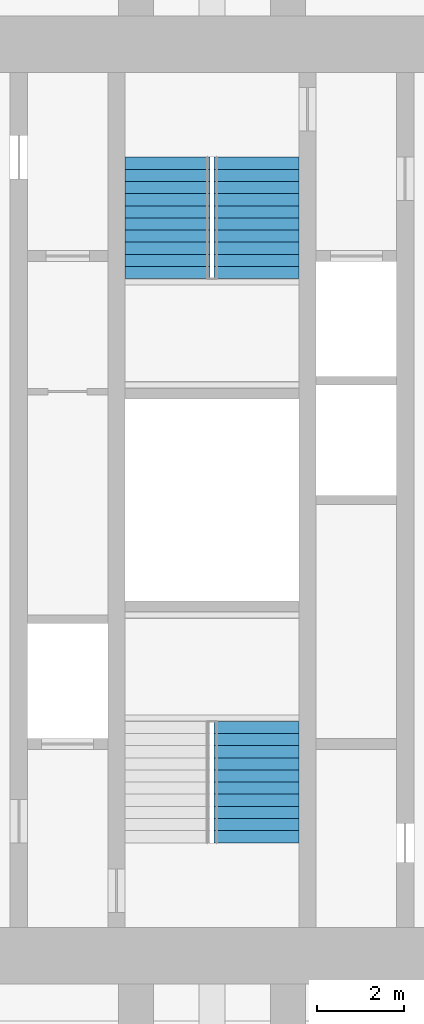
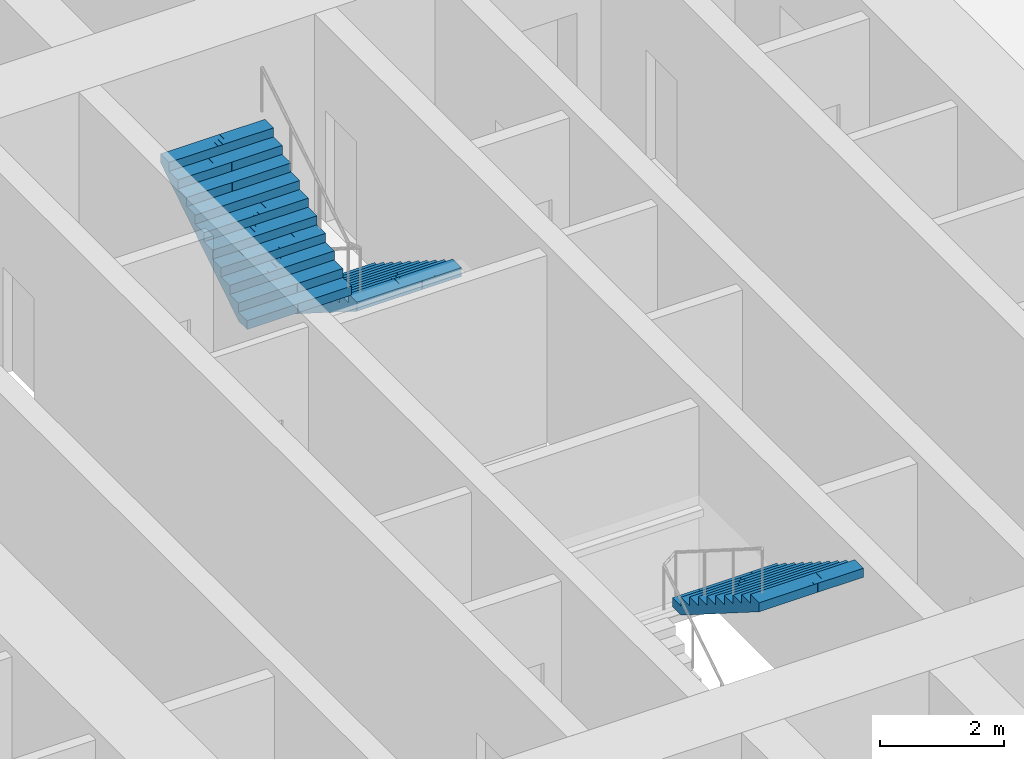
# One storey, part 16 of 17: 3 stair flights, 2 elements without a shape of their own.
"""IFC4 building model written with IfcOpenShell, lengths in metres."""

from ifc_helpers import new_model, si_unit, direction, frame, origin, place, context, subcontext, project, spatial, polyline, outline, extrude, material, type_object, element, aggregate, save


model = new_model("IFC4")

# Units and contexts
model_context = context("Model", 3, precision=1e-05, world=origin(), true_north=direction((0.0, 1.0)))
body_context = subcontext(model_context, "Body", "Model", "MODEL_VIEW")
ifc_project = project(units=[si_unit("LENGTHUNIT", "METRE"), si_unit("AREAUNIT", "SQUARE_METRE"), si_unit("VOLUMEUNIT", "CUBIC_METRE"), si_unit("PLANEANGLEUNIT", "RADIAN"), si_unit("MASSUNIT", "GRAM", prefix="KILO")], contexts=[model_context])

# Site, building, storey
site_placement = place(None, origin())
site = spatial("IfcSite", under=ifc_project, at=site_placement, CompositionType="ELEMENT")
building_placement = place(site_placement, origin())
building = spatial("IfcBuilding", under=site, at=building_placement, Name="Mizan Broadcast Tower", CompositionType="ELEMENT")
storey_placement = place(building_placement, frame((0.0, 0.0, 247.800048828125)))
storey = spatial("IfcBuildingStorey", under=building, at=storey_placement, Name="L58", CompositionType="ELEMENT", Elevation=247.800048828125)

# Stair, stair flight
ifc_material_1 = material(Name="Concrete C40/50", Category="concrete")
stair_type = type_object("IfcStairType", Name="EXIT STAIR", PredefinedType="HALF_TURN_STAIR", material=ifc_material_1)
stair_1_placement = place(storey_placement, origin())
stair_1 = element("IfcStair", 1, at=stair_1_placement, inside=storey, type_object=stair_type, Name="Stair A L58", PredefinedType="HALF_TURN_STAIR")
ifc_material_2 = material(Name="Concrete C40/50", Category="concrete")
stair_flight_type = type_object("IfcStairFlightType", Name="EXIT STAIR FLIGHT", PredefinedType="STRAIGHT", material=ifc_material_2)
stair_flight_1_placement = place(storey_placement, frame((1.02490234375, -5.10009765625, 1.949951171875), z_axis=(0.0, 0.0, 1.0), x_axis=(0.0, -1.0, 0.0)))
stair_flight_1 = element("IfcStairFlight", 2, at=stair_flight_1_placement, type_object=stair_flight_type, Name="A flight 2", NumberOfRisers=11, NumberOfTreads=10, PredefinedType="STRAIGHT", RiserHeight=0.177272727, TreadLength=0.28, context=body_context, shape_type="SweptSolid", body=[
    extrude(outline(polyline([(0.0, 0.0), (0.0, 0.17724609375), (0.280029296875, 0.17724609375), (0.280029296875, 0.3544921875), (0.56005859375, 0.3544921875), (0.56005859375, 0.53173828125), (0.840087890625, 0.53173828125), (0.840087890625, 0.708984375), (1.1201171875, 0.708984375), (1.1201171875, 0.886474609375), (1.39990234375, 0.886474609375), (1.39990234375, 1.063720703125), (1.679931640625, 1.063720703125), (1.679931640625, 1.240966796875), (1.9599609375, 1.240966796875), (1.9599609375, 1.418212890625), (2.239990234375, 1.418212890625), (2.239990234375, 1.595458984375), (2.52001953125, 1.595458984375), (2.52001953125, 1.772705078125), (2.800048828125, 1.772705078125), (2.800048828125, 1.949951171875), (2.800048828125, 1.59521484375), (0.2802734375, 0.0), (0.0, 0.0)])), frame((0.0, 0.97509765625, 0.0), z_axis=(0.0, -1.0, 0.0), x_axis=(1.0, 0.0, 0.0)), (0.0, 0.0, 1.0), 0.4873046875),
    extrude(outline(polyline([(0.0, 0.0), (0.0, 0.17724609375), (0.280029296875, 0.17724609375), (0.280029296875, 0.3544921875), (0.56005859375, 0.3544921875), (0.56005859375, 0.53173828125), (0.840087890625, 0.53173828125), (0.840087890625, 0.708984375), (1.1201171875, 0.708984375), (1.1201171875, 0.886474609375), (1.39990234375, 0.886474609375), (1.39990234375, 1.063720703125), (1.679931640625, 1.063720703125), (1.679931640625, 1.240966796875), (1.9599609375, 1.240966796875), (1.9599609375, 1.418212890625), (2.239990234375, 1.418212890625), (2.239990234375, 1.595458984375), (2.52001953125, 1.595458984375), (2.52001953125, 1.772705078125), (2.800048828125, 1.772705078125), (2.800048828125, 1.949951171875), (2.800048828125, 1.59521484375), (0.2802734375, 0.0), (0.0, 0.0)])), frame((0.0, 0.4873046875, 0.0), z_axis=(0.0, -1.0, 0.0), x_axis=(1.0, 0.0, 0.0)), (0.0, 0.0, 1.0), 0.2431640625),
    extrude(outline(polyline([(0.0, 0.0), (0.0, 0.17724609375), (0.280029296875, 0.17724609375), (0.280029296875, 0.3544921875), (0.56005859375, 0.3544921875), (0.56005859375, 0.53173828125), (0.840087890625, 0.53173828125), (0.840087890625, 0.708984375), (1.1201171875, 0.708984375), (1.1201171875, 0.886474609375), (1.39990234375, 0.886474609375), (1.39990234375, 1.063720703125), (1.679931640625, 1.063720703125), (1.679931640625, 1.240966796875), (1.9599609375, 1.240966796875), (1.9599609375, 1.418212890625), (2.239990234375, 1.418212890625), (2.239990234375, 1.595458984375), (2.52001953125, 1.595458984375), (2.52001953125, 1.772705078125), (2.800048828125, 1.772705078125), (2.800048828125, 1.949951171875), (2.800048828125, 1.59521484375), (0.2802734375, 0.0), (0.0, 0.0)])), frame((0.0, 0.24365234375, 0.0), z_axis=(0.0, -1.0, 0.0), x_axis=(1.0, 0.0, 0.0)), (0.0, 0.0, 1.0), 0.121337890625),
    extrude(outline(polyline([(0.0, 0.0), (0.0, 0.17724609375), (0.280029296875, 0.17724609375), (0.280029296875, 0.3544921875), (0.56005859375, 0.3544921875), (0.56005859375, 0.53173828125), (0.840087890625, 0.53173828125), (0.840087890625, 0.708984375), (1.1201171875, 0.708984375), (1.1201171875, 0.886474609375), (1.39990234375, 0.886474609375), (1.39990234375, 1.063720703125), (1.679931640625, 1.063720703125), (1.679931640625, 1.240966796875), (1.9599609375, 1.240966796875), (1.9599609375, 1.418212890625), (2.239990234375, 1.418212890625), (2.239990234375, 1.595458984375), (2.52001953125, 1.595458984375), (2.52001953125, 1.772705078125), (2.800048828125, 1.772705078125), (2.800048828125, 1.949951171875), (2.800048828125, 1.59521484375), (0.2802734375, 0.0), (0.0, 0.0)])), frame((0.0, 0.121826171875, 0.0), z_axis=(0.0, -1.0, 0.0), x_axis=(1.0, 0.0, 0.0)), (0.0, 0.0, 1.0), 0.060546875),
    extrude(outline(polyline([(0.0, 0.0), (0.0, 0.17724609375), (0.280029296875, 0.17724609375), (0.280029296875, 0.3544921875), (0.56005859375, 0.3544921875), (0.56005859375, 0.53173828125), (0.840087890625, 0.53173828125), (0.840087890625, 0.708984375), (1.1201171875, 0.708984375), (1.1201171875, 0.886474609375), (1.39990234375, 0.886474609375), (1.39990234375, 1.063720703125), (1.679931640625, 1.063720703125), (1.679931640625, 1.240966796875), (1.9599609375, 1.240966796875), (1.9599609375, 1.418212890625), (2.239990234375, 1.418212890625), (2.239990234375, 1.595458984375), (2.52001953125, 1.595458984375), (2.52001953125, 1.772705078125), (2.800048828125, 1.772705078125), (2.800048828125, 1.949951171875), (2.800048828125, 1.59521484375), (0.2802734375, 0.0), (0.0, 0.0)])), frame((0.0, 0.060791015625, 0.0), z_axis=(0.0, -1.0, 0.0), x_axis=(1.0, 0.0, 0.0)), (0.0, 0.0, 1.0), 0.030029296875),
    extrude(outline(polyline([(0.0, 0.0), (0.0, 0.17724609375), (0.280029296875, 0.17724609375), (0.280029296875, 0.3544921875), (0.56005859375, 0.3544921875), (0.56005859375, 0.53173828125), (0.840087890625, 0.53173828125), (0.840087890625, 0.708984375), (1.1201171875, 0.708984375), (1.1201171875, 0.886474609375), (1.39990234375, 0.886474609375), (1.39990234375, 1.063720703125), (1.679931640625, 1.063720703125), (1.679931640625, 1.240966796875), (1.9599609375, 1.240966796875), (1.9599609375, 1.418212890625), (2.239990234375, 1.418212890625), (2.239990234375, 1.595458984375), (2.52001953125, 1.595458984375), (2.52001953125, 1.772705078125), (2.800048828125, 1.772705078125), (2.800048828125, 1.949951171875), (2.800048828125, 1.59521484375), (0.2802734375, 0.0), (0.0, 0.0)])), frame((0.0, 0.0302734375, 0.0), z_axis=(0.0, -1.0, 0.0), x_axis=(1.0, 0.0, 0.0)), (0.0, 0.0, 1.0), 0.060302734375),
    extrude(outline(polyline([(0.0, 0.0), (0.0, 0.17724609375), (0.280029296875, 0.17724609375), (0.280029296875, 0.3544921875), (0.56005859375, 0.3544921875), (0.56005859375, 0.53173828125), (0.840087890625, 0.53173828125), (0.840087890625, 0.708984375), (1.1201171875, 0.708984375), (1.1201171875, 0.886474609375), (1.39990234375, 0.886474609375), (1.39990234375, 1.063720703125), (1.679931640625, 1.063720703125), (1.679931640625, 1.240966796875), (1.9599609375, 1.240966796875), (1.9599609375, 1.418212890625), (2.239990234375, 1.418212890625), (2.239990234375, 1.595458984375), (2.52001953125, 1.595458984375), (2.52001953125, 1.772705078125), (2.800048828125, 1.772705078125), (2.800048828125, 1.949951171875), (2.800048828125, 1.59521484375), (0.2802734375, 0.0), (0.0, 0.0)])), frame((0.0, -0.030517578125, 0.0), z_axis=(0.0, -1.0, 0.0), x_axis=(1.0, 0.0, 0.0)), (0.0, 0.0, 1.0), 0.030029296875),
    extrude(outline(polyline([(0.0, 0.0), (0.0, 0.17724609375), (0.280029296875, 0.17724609375), (0.280029296875, 0.3544921875), (0.56005859375, 0.3544921875), (0.56005859375, 0.53173828125), (0.840087890625, 0.53173828125), (0.840087890625, 0.708984375), (1.1201171875, 0.708984375), (1.1201171875, 0.886474609375), (1.39990234375, 0.886474609375), (1.39990234375, 1.063720703125), (1.679931640625, 1.063720703125), (1.679931640625, 1.240966796875), (1.9599609375, 1.240966796875), (1.9599609375, 1.418212890625), (2.239990234375, 1.418212890625), (2.239990234375, 1.595458984375), (2.52001953125, 1.595458984375), (2.52001953125, 1.772705078125), (2.800048828125, 1.772705078125), (2.800048828125, 1.949951171875), (2.800048828125, 1.59521484375), (0.2802734375, 0.0), (0.0, 0.0)])), frame((0.0, -0.06103515625, 0.0), z_axis=(0.0, -1.0, 0.0), x_axis=(1.0, 0.0, 0.0)), (0.0, 0.0, 1.0), 0.060546875),
    extrude(outline(polyline([(0.0, 0.0), (0.0, 0.17724609375), (0.280029296875, 0.17724609375), (0.280029296875, 0.3544921875), (0.56005859375, 0.3544921875), (0.56005859375, 0.53173828125), (0.840087890625, 0.53173828125), (0.840087890625, 0.708984375), (1.1201171875, 0.708984375), (1.1201171875, 0.886474609375), (1.39990234375, 0.886474609375), (1.39990234375, 1.063720703125), (1.679931640625, 1.063720703125), (1.679931640625, 1.240966796875), (1.9599609375, 1.240966796875), (1.9599609375, 1.418212890625), (2.239990234375, 1.418212890625), (2.239990234375, 1.595458984375), (2.52001953125, 1.595458984375), (2.52001953125, 1.772705078125), (2.800048828125, 1.772705078125), (2.800048828125, 1.949951171875), (2.800048828125, 1.59521484375), (0.2802734375, 0.0), (0.0, 0.0)])), frame((0.0, -0.1220703125, 0.0), z_axis=(0.0, -1.0, 0.0), x_axis=(1.0, 0.0, 0.0)), (0.0, 0.0, 1.0), 0.121337890625),
    extrude(outline(polyline([(0.0, 0.0), (0.0, 0.17724609375), (0.280029296875, 0.17724609375), (0.280029296875, 0.3544921875), (0.56005859375, 0.3544921875), (0.56005859375, 0.53173828125), (0.840087890625, 0.53173828125), (0.840087890625, 0.708984375), (1.1201171875, 0.708984375), (1.1201171875, 0.886474609375), (1.39990234375, 0.886474609375), (1.39990234375, 1.063720703125), (1.679931640625, 1.063720703125), (1.679931640625, 1.240966796875), (1.9599609375, 1.240966796875), (1.9599609375, 1.418212890625), (2.239990234375, 1.418212890625), (2.239990234375, 1.595458984375), (2.52001953125, 1.595458984375), (2.52001953125, 1.772705078125), (2.800048828125, 1.772705078125), (2.800048828125, 1.949951171875), (2.800048828125, 1.59521484375), (0.2802734375, 0.0), (0.0, 0.0)])), frame((0.0, -0.243896484375, 0.0), z_axis=(0.0, -1.0, 0.0), x_axis=(1.0, 0.0, 0.0)), (0.0, 0.0, 1.0), 0.2431640625),
    extrude(outline(polyline([(0.0, 0.0), (0.0, 0.17724609375), (0.280029296875, 0.17724609375), (0.280029296875, 0.3544921875), (0.56005859375, 0.3544921875), (0.56005859375, 0.53173828125), (0.840087890625, 0.53173828125), (0.840087890625, 0.708984375), (1.1201171875, 0.708984375), (1.1201171875, 0.886474609375), (1.39990234375, 0.886474609375), (1.39990234375, 1.063720703125), (1.679931640625, 1.063720703125), (1.679931640625, 1.240966796875), (1.9599609375, 1.240966796875), (1.9599609375, 1.418212890625), (2.239990234375, 1.418212890625), (2.239990234375, 1.595458984375), (2.52001953125, 1.595458984375), (2.52001953125, 1.772705078125), (2.800048828125, 1.772705078125), (2.800048828125, 1.949951171875), (2.800048828125, 1.59521484375), (0.2802734375, 0.0), (0.0, 0.0)])), frame((0.0, -0.487548828125, 0.0), z_axis=(0.0, -1.0, 0.0), x_axis=(1.0, 0.0, 0.0)), (0.0, 0.0, 1.0), 0.4873046875),
])
aggregate(stair_1, [stair_flight_1])

# Stair, stair flights
stair_2_placement = place(storey_placement, origin())
stair_2 = element("IfcStair", 3, at=stair_2_placement, inside=storey, type_object=stair_type, Name="Stair B L58", PredefinedType="HALF_TURN_STAIR")
stair_flight_2_placement = place(storey_placement, frame((1.02490234375, 7.89990234375, 0.0), z_axis=(0.0, 0.0, 1.0), x_axis=(0.0, -1.0, 0.0)))
stair_flight_2 = element("IfcStairFlight", 4, at=stair_flight_2_placement, type_object=stair_flight_type, Name="B flight 1", NumberOfRisers=11, NumberOfTreads=10, PredefinedType="STRAIGHT", RiserHeight=0.177272727, TreadLength=0.28, context=body_context, shape_type="SweptSolid", body=[
    extrude(outline(polyline([(0.0, 0.0), (0.0, 0.17724609375), (0.280029296875, 0.17724609375), (0.280029296875, 0.3544921875), (0.56005859375, 0.3544921875), (0.56005859375, 0.53173828125), (0.840087890625, 0.53173828125), (0.840087890625, 0.708984375), (1.1201171875, 0.708984375), (1.1201171875, 0.886474609375), (1.39990234375, 0.886474609375), (1.39990234375, 1.063720703125), (1.679931640625, 1.063720703125), (1.679931640625, 1.240966796875), (1.9599609375, 1.240966796875), (1.9599609375, 1.418212890625), (2.239990234375, 1.418212890625), (2.239990234375, 1.595458984375), (2.52001953125, 1.595458984375), (2.52001953125, 1.772705078125), (2.800048828125, 1.772705078125), (2.800048828125, 1.949951171875), (2.800048828125, 1.59521484375), (0.2802734375, 0.0), (0.0, 0.0)])), frame((0.0, 0.97509765625, 0.0), z_axis=(0.0, -1.0, 0.0), x_axis=(1.0, 0.0, 0.0)), (0.0, 0.0, 1.0), 0.4873046875),
    extrude(outline(polyline([(0.0, 0.0), (0.0, 0.17724609375), (0.280029296875, 0.17724609375), (0.280029296875, 0.3544921875), (0.56005859375, 0.3544921875), (0.56005859375, 0.53173828125), (0.840087890625, 0.53173828125), (0.840087890625, 0.708984375), (1.1201171875, 0.708984375), (1.1201171875, 0.886474609375), (1.39990234375, 0.886474609375), (1.39990234375, 1.063720703125), (1.679931640625, 1.063720703125), (1.679931640625, 1.240966796875), (1.9599609375, 1.240966796875), (1.9599609375, 1.418212890625), (2.239990234375, 1.418212890625), (2.239990234375, 1.595458984375), (2.52001953125, 1.595458984375), (2.52001953125, 1.772705078125), (2.800048828125, 1.772705078125), (2.800048828125, 1.949951171875), (2.800048828125, 1.59521484375), (0.2802734375, 0.0), (0.0, 0.0)])), frame((0.0, 0.4873046875, 0.0), z_axis=(0.0, -1.0, 0.0), x_axis=(1.0, 0.0, 0.0)), (0.0, 0.0, 1.0), 0.2431640625),
    extrude(outline(polyline([(0.0, 0.0), (0.0, 0.17724609375), (0.280029296875, 0.17724609375), (0.280029296875, 0.3544921875), (0.56005859375, 0.3544921875), (0.56005859375, 0.53173828125), (0.840087890625, 0.53173828125), (0.840087890625, 0.708984375), (1.1201171875, 0.708984375), (1.1201171875, 0.886474609375), (1.39990234375, 0.886474609375), (1.39990234375, 1.063720703125), (1.679931640625, 1.063720703125), (1.679931640625, 1.240966796875), (1.9599609375, 1.240966796875), (1.9599609375, 1.418212890625), (2.239990234375, 1.418212890625), (2.239990234375, 1.595458984375), (2.52001953125, 1.595458984375), (2.52001953125, 1.772705078125), (2.800048828125, 1.772705078125), (2.800048828125, 1.949951171875), (2.800048828125, 1.59521484375), (0.2802734375, 0.0), (0.0, 0.0)])), frame((0.0, 0.24365234375, 0.0), z_axis=(0.0, -1.0, 0.0), x_axis=(1.0, 0.0, 0.0)), (0.0, 0.0, 1.0), 0.121337890625),
    extrude(outline(polyline([(0.0, 0.0), (0.0, 0.17724609375), (0.280029296875, 0.17724609375), (0.280029296875, 0.3544921875), (0.56005859375, 0.3544921875), (0.56005859375, 0.53173828125), (0.840087890625, 0.53173828125), (0.840087890625, 0.708984375), (1.1201171875, 0.708984375), (1.1201171875, 0.886474609375), (1.39990234375, 0.886474609375), (1.39990234375, 1.063720703125), (1.679931640625, 1.063720703125), (1.679931640625, 1.240966796875), (1.9599609375, 1.240966796875), (1.9599609375, 1.418212890625), (2.239990234375, 1.418212890625), (2.239990234375, 1.595458984375), (2.52001953125, 1.595458984375), (2.52001953125, 1.772705078125), (2.800048828125, 1.772705078125), (2.800048828125, 1.949951171875), (2.800048828125, 1.59521484375), (0.2802734375, 0.0), (0.0, 0.0)])), frame((0.0, 0.121826171875, 0.0), z_axis=(0.0, -1.0, 0.0), x_axis=(1.0, 0.0, 0.0)), (0.0, 0.0, 1.0), 0.060546875),
    extrude(outline(polyline([(0.0, 0.0), (0.0, 0.17724609375), (0.280029296875, 0.17724609375), (0.280029296875, 0.3544921875), (0.56005859375, 0.3544921875), (0.56005859375, 0.53173828125), (0.840087890625, 0.53173828125), (0.840087890625, 0.708984375), (1.1201171875, 0.708984375), (1.1201171875, 0.886474609375), (1.39990234375, 0.886474609375), (1.39990234375, 1.063720703125), (1.679931640625, 1.063720703125), (1.679931640625, 1.240966796875), (1.9599609375, 1.240966796875), (1.9599609375, 1.418212890625), (2.239990234375, 1.418212890625), (2.239990234375, 1.595458984375), (2.52001953125, 1.595458984375), (2.52001953125, 1.772705078125), (2.800048828125, 1.772705078125), (2.800048828125, 1.949951171875), (2.800048828125, 1.59521484375), (0.2802734375, 0.0), (0.0, 0.0)])), frame((0.0, 0.060791015625, 0.0), z_axis=(0.0, -1.0, 0.0), x_axis=(1.0, 0.0, 0.0)), (0.0, 0.0, 1.0), 0.030029296875),
    extrude(outline(polyline([(0.0, 0.0), (0.0, 0.17724609375), (0.280029296875, 0.17724609375), (0.280029296875, 0.3544921875), (0.56005859375, 0.3544921875), (0.56005859375, 0.53173828125), (0.840087890625, 0.53173828125), (0.840087890625, 0.708984375), (1.1201171875, 0.708984375), (1.1201171875, 0.886474609375), (1.39990234375, 0.886474609375), (1.39990234375, 1.063720703125), (1.679931640625, 1.063720703125), (1.679931640625, 1.240966796875), (1.9599609375, 1.240966796875), (1.9599609375, 1.418212890625), (2.239990234375, 1.418212890625), (2.239990234375, 1.595458984375), (2.52001953125, 1.595458984375), (2.52001953125, 1.772705078125), (2.800048828125, 1.772705078125), (2.800048828125, 1.949951171875), (2.800048828125, 1.59521484375), (0.2802734375, 0.0), (0.0, 0.0)])), frame((0.0, 0.0302734375, 0.0), z_axis=(0.0, -1.0, 0.0), x_axis=(1.0, 0.0, 0.0)), (0.0, 0.0, 1.0), 0.060302734375),
    extrude(outline(polyline([(0.0, 0.0), (0.0, 0.17724609375), (0.280029296875, 0.17724609375), (0.280029296875, 0.3544921875), (0.56005859375, 0.3544921875), (0.56005859375, 0.53173828125), (0.840087890625, 0.53173828125), (0.840087890625, 0.708984375), (1.1201171875, 0.708984375), (1.1201171875, 0.886474609375), (1.39990234375, 0.886474609375), (1.39990234375, 1.063720703125), (1.679931640625, 1.063720703125), (1.679931640625, 1.240966796875), (1.9599609375, 1.240966796875), (1.9599609375, 1.418212890625), (2.239990234375, 1.418212890625), (2.239990234375, 1.595458984375), (2.52001953125, 1.595458984375), (2.52001953125, 1.772705078125), (2.800048828125, 1.772705078125), (2.800048828125, 1.949951171875), (2.800048828125, 1.59521484375), (0.2802734375, 0.0), (0.0, 0.0)])), frame((0.0, -0.030517578125, 0.0), z_axis=(0.0, -1.0, 0.0), x_axis=(1.0, 0.0, 0.0)), (0.0, 0.0, 1.0), 0.030029296875),
    extrude(outline(polyline([(0.0, 0.0), (0.0, 0.17724609375), (0.280029296875, 0.17724609375), (0.280029296875, 0.3544921875), (0.56005859375, 0.3544921875), (0.56005859375, 0.53173828125), (0.840087890625, 0.53173828125), (0.840087890625, 0.708984375), (1.1201171875, 0.708984375), (1.1201171875, 0.886474609375), (1.39990234375, 0.886474609375), (1.39990234375, 1.063720703125), (1.679931640625, 1.063720703125), (1.679931640625, 1.240966796875), (1.9599609375, 1.240966796875), (1.9599609375, 1.418212890625), (2.239990234375, 1.418212890625), (2.239990234375, 1.595458984375), (2.52001953125, 1.595458984375), (2.52001953125, 1.772705078125), (2.800048828125, 1.772705078125), (2.800048828125, 1.949951171875), (2.800048828125, 1.59521484375), (0.2802734375, 0.0), (0.0, 0.0)])), frame((0.0, -0.06103515625, 0.0), z_axis=(0.0, -1.0, 0.0), x_axis=(1.0, 0.0, 0.0)), (0.0, 0.0, 1.0), 0.060546875),
    extrude(outline(polyline([(0.0, 0.0), (0.0, 0.17724609375), (0.280029296875, 0.17724609375), (0.280029296875, 0.3544921875), (0.56005859375, 0.3544921875), (0.56005859375, 0.53173828125), (0.840087890625, 0.53173828125), (0.840087890625, 0.708984375), (1.1201171875, 0.708984375), (1.1201171875, 0.886474609375), (1.39990234375, 0.886474609375), (1.39990234375, 1.063720703125), (1.679931640625, 1.063720703125), (1.679931640625, 1.240966796875), (1.9599609375, 1.240966796875), (1.9599609375, 1.418212890625), (2.239990234375, 1.418212890625), (2.239990234375, 1.595458984375), (2.52001953125, 1.595458984375), (2.52001953125, 1.772705078125), (2.800048828125, 1.772705078125), (2.800048828125, 1.949951171875), (2.800048828125, 1.59521484375), (0.2802734375, 0.0), (0.0, 0.0)])), frame((0.0, -0.1220703125, 0.0), z_axis=(0.0, -1.0, 0.0), x_axis=(1.0, 0.0, 0.0)), (0.0, 0.0, 1.0), 0.121337890625),
    extrude(outline(polyline([(0.0, 0.0), (0.0, 0.17724609375), (0.280029296875, 0.17724609375), (0.280029296875, 0.3544921875), (0.56005859375, 0.3544921875), (0.56005859375, 0.53173828125), (0.840087890625, 0.53173828125), (0.840087890625, 0.708984375), (1.1201171875, 0.708984375), (1.1201171875, 0.886474609375), (1.39990234375, 0.886474609375), (1.39990234375, 1.063720703125), (1.679931640625, 1.063720703125), (1.679931640625, 1.240966796875), (1.9599609375, 1.240966796875), (1.9599609375, 1.418212890625), (2.239990234375, 1.418212890625), (2.239990234375, 1.595458984375), (2.52001953125, 1.595458984375), (2.52001953125, 1.772705078125), (2.800048828125, 1.772705078125), (2.800048828125, 1.949951171875), (2.800048828125, 1.59521484375), (0.2802734375, 0.0), (0.0, 0.0)])), frame((0.0, -0.243896484375, 0.0), z_axis=(0.0, -1.0, 0.0), x_axis=(1.0, 0.0, 0.0)), (0.0, 0.0, 1.0), 0.2431640625),
    extrude(outline(polyline([(0.0, 0.0), (0.0, 0.17724609375), (0.280029296875, 0.17724609375), (0.280029296875, 0.3544921875), (0.56005859375, 0.3544921875), (0.56005859375, 0.53173828125), (0.840087890625, 0.53173828125), (0.840087890625, 0.708984375), (1.1201171875, 0.708984375), (1.1201171875, 0.886474609375), (1.39990234375, 0.886474609375), (1.39990234375, 1.063720703125), (1.679931640625, 1.063720703125), (1.679931640625, 1.240966796875), (1.9599609375, 1.240966796875), (1.9599609375, 1.418212890625), (2.239990234375, 1.418212890625), (2.239990234375, 1.595458984375), (2.52001953125, 1.595458984375), (2.52001953125, 1.772705078125), (2.800048828125, 1.772705078125), (2.800048828125, 1.949951171875), (2.800048828125, 1.59521484375), (0.2802734375, 0.0), (0.0, 0.0)])), frame((0.0, -0.487548828125, 0.0), z_axis=(0.0, -1.0, 0.0), x_axis=(1.0, 0.0, 0.0)), (0.0, 0.0, 1.0), 0.4873046875),
])
stair_flight_3_placement = place(storey_placement, frame((-1.02490234375, 5.10009765625, 1.949951171875), z_axis=(0.0, 0.0, 1.0), x_axis=(0.0, 1.0, 0.0)))
stair_flight_3 = element("IfcStairFlight", 5, at=stair_flight_3_placement, type_object=stair_flight_type, Name="B flight 2", NumberOfRisers=11, NumberOfTreads=10, PredefinedType="STRAIGHT", RiserHeight=0.177272727, TreadLength=0.28, context=body_context, shape_type="SweptSolid", body=[
    extrude(outline(polyline([(0.0, 0.0), (0.0, 0.17724609375), (0.280029296875, 0.17724609375), (0.280029296875, 0.3544921875), (0.56005859375, 0.3544921875), (0.56005859375, 0.53173828125), (0.840087890625, 0.53173828125), (0.840087890625, 0.708984375), (1.1201171875, 0.708984375), (1.1201171875, 0.886474609375), (1.39990234375, 0.886474609375), (1.39990234375, 1.063720703125), (1.679931640625, 1.063720703125), (1.679931640625, 1.240966796875), (1.9599609375, 1.240966796875), (1.9599609375, 1.418212890625), (2.239990234375, 1.418212890625), (2.239990234375, 1.595458984375), (2.52001953125, 1.595458984375), (2.52001953125, 1.772705078125), (2.800048828125, 1.772705078125), (2.800048828125, 1.949951171875), (2.800048828125, 1.59521484375), (0.2802734375, 0.0), (0.0, 0.0)])), frame((0.0, 0.97509765625, 0.0), z_axis=(0.0, -1.0, 0.0), x_axis=(1.0, 0.0, 0.0)), (0.0, 0.0, 1.0), 0.4873046875),
    extrude(outline(polyline([(0.0, 0.0), (0.0, 0.17724609375), (0.280029296875, 0.17724609375), (0.280029296875, 0.3544921875), (0.56005859375, 0.3544921875), (0.56005859375, 0.53173828125), (0.840087890625, 0.53173828125), (0.840087890625, 0.708984375), (1.1201171875, 0.708984375), (1.1201171875, 0.886474609375), (1.39990234375, 0.886474609375), (1.39990234375, 1.063720703125), (1.679931640625, 1.063720703125), (1.679931640625, 1.240966796875), (1.9599609375, 1.240966796875), (1.9599609375, 1.418212890625), (2.239990234375, 1.418212890625), (2.239990234375, 1.595458984375), (2.52001953125, 1.595458984375), (2.52001953125, 1.772705078125), (2.800048828125, 1.772705078125), (2.800048828125, 1.949951171875), (2.800048828125, 1.59521484375), (0.2802734375, 0.0), (0.0, 0.0)])), frame((0.0, 0.4873046875, 0.0), z_axis=(0.0, -1.0, 0.0), x_axis=(1.0, 0.0, 0.0)), (0.0, 0.0, 1.0), 0.2431640625),
    extrude(outline(polyline([(0.0, 0.0), (0.0, 0.17724609375), (0.280029296875, 0.17724609375), (0.280029296875, 0.3544921875), (0.56005859375, 0.3544921875), (0.56005859375, 0.53173828125), (0.840087890625, 0.53173828125), (0.840087890625, 0.708984375), (1.1201171875, 0.708984375), (1.1201171875, 0.886474609375), (1.39990234375, 0.886474609375), (1.39990234375, 1.063720703125), (1.679931640625, 1.063720703125), (1.679931640625, 1.240966796875), (1.9599609375, 1.240966796875), (1.9599609375, 1.418212890625), (2.239990234375, 1.418212890625), (2.239990234375, 1.595458984375), (2.52001953125, 1.595458984375), (2.52001953125, 1.772705078125), (2.800048828125, 1.772705078125), (2.800048828125, 1.949951171875), (2.800048828125, 1.59521484375), (0.2802734375, 0.0), (0.0, 0.0)])), frame((0.0, 0.24365234375, 0.0), z_axis=(0.0, -1.0, 0.0), x_axis=(1.0, 0.0, 0.0)), (0.0, 0.0, 1.0), 0.121337890625),
    extrude(outline(polyline([(0.0, 0.0), (0.0, 0.17724609375), (0.280029296875, 0.17724609375), (0.280029296875, 0.3544921875), (0.56005859375, 0.3544921875), (0.56005859375, 0.53173828125), (0.840087890625, 0.53173828125), (0.840087890625, 0.708984375), (1.1201171875, 0.708984375), (1.1201171875, 0.886474609375), (1.39990234375, 0.886474609375), (1.39990234375, 1.063720703125), (1.679931640625, 1.063720703125), (1.679931640625, 1.240966796875), (1.9599609375, 1.240966796875), (1.9599609375, 1.418212890625), (2.239990234375, 1.418212890625), (2.239990234375, 1.595458984375), (2.52001953125, 1.595458984375), (2.52001953125, 1.772705078125), (2.800048828125, 1.772705078125), (2.800048828125, 1.949951171875), (2.800048828125, 1.59521484375), (0.2802734375, 0.0), (0.0, 0.0)])), frame((0.0, 0.121826171875, 0.0), z_axis=(0.0, -1.0, 0.0), x_axis=(1.0, 0.0, 0.0)), (0.0, 0.0, 1.0), 0.060546875),
    extrude(outline(polyline([(0.0, 0.0), (0.0, 0.17724609375), (0.280029296875, 0.17724609375), (0.280029296875, 0.3544921875), (0.56005859375, 0.3544921875), (0.56005859375, 0.53173828125), (0.840087890625, 0.53173828125), (0.840087890625, 0.708984375), (1.1201171875, 0.708984375), (1.1201171875, 0.886474609375), (1.39990234375, 0.886474609375), (1.39990234375, 1.063720703125), (1.679931640625, 1.063720703125), (1.679931640625, 1.240966796875), (1.9599609375, 1.240966796875), (1.9599609375, 1.418212890625), (2.239990234375, 1.418212890625), (2.239990234375, 1.595458984375), (2.52001953125, 1.595458984375), (2.52001953125, 1.772705078125), (2.800048828125, 1.772705078125), (2.800048828125, 1.949951171875), (2.800048828125, 1.59521484375), (0.2802734375, 0.0), (0.0, 0.0)])), frame((0.0, 0.060791015625, 0.0), z_axis=(0.0, -1.0, 0.0), x_axis=(1.0, 0.0, 0.0)), (0.0, 0.0, 1.0), 0.030029296875),
    extrude(outline(polyline([(0.0, 0.0), (0.0, 0.17724609375), (0.280029296875, 0.17724609375), (0.280029296875, 0.3544921875), (0.56005859375, 0.3544921875), (0.56005859375, 0.53173828125), (0.840087890625, 0.53173828125), (0.840087890625, 0.708984375), (1.1201171875, 0.708984375), (1.1201171875, 0.886474609375), (1.39990234375, 0.886474609375), (1.39990234375, 1.063720703125), (1.679931640625, 1.063720703125), (1.679931640625, 1.240966796875), (1.9599609375, 1.240966796875), (1.9599609375, 1.418212890625), (2.239990234375, 1.418212890625), (2.239990234375, 1.595458984375), (2.52001953125, 1.595458984375), (2.52001953125, 1.772705078125), (2.800048828125, 1.772705078125), (2.800048828125, 1.949951171875), (2.800048828125, 1.59521484375), (0.2802734375, 0.0), (0.0, 0.0)])), frame((0.0, 0.0302734375, 0.0), z_axis=(0.0, -1.0, 0.0), x_axis=(1.0, 0.0, 0.0)), (0.0, 0.0, 1.0), 0.060302734375),
    extrude(outline(polyline([(0.0, 0.0), (0.0, 0.17724609375), (0.280029296875, 0.17724609375), (0.280029296875, 0.3544921875), (0.56005859375, 0.3544921875), (0.56005859375, 0.53173828125), (0.840087890625, 0.53173828125), (0.840087890625, 0.708984375), (1.1201171875, 0.708984375), (1.1201171875, 0.886474609375), (1.39990234375, 0.886474609375), (1.39990234375, 1.063720703125), (1.679931640625, 1.063720703125), (1.679931640625, 1.240966796875), (1.9599609375, 1.240966796875), (1.9599609375, 1.418212890625), (2.239990234375, 1.418212890625), (2.239990234375, 1.595458984375), (2.52001953125, 1.595458984375), (2.52001953125, 1.772705078125), (2.800048828125, 1.772705078125), (2.800048828125, 1.949951171875), (2.800048828125, 1.59521484375), (0.2802734375, 0.0), (0.0, 0.0)])), frame((0.0, -0.030517578125, 0.0), z_axis=(0.0, -1.0, 0.0), x_axis=(1.0, 0.0, 0.0)), (0.0, 0.0, 1.0), 0.030029296875),
    extrude(outline(polyline([(0.0, 0.0), (0.0, 0.17724609375), (0.280029296875, 0.17724609375), (0.280029296875, 0.3544921875), (0.56005859375, 0.3544921875), (0.56005859375, 0.53173828125), (0.840087890625, 0.53173828125), (0.840087890625, 0.708984375), (1.1201171875, 0.708984375), (1.1201171875, 0.886474609375), (1.39990234375, 0.886474609375), (1.39990234375, 1.063720703125), (1.679931640625, 1.063720703125), (1.679931640625, 1.240966796875), (1.9599609375, 1.240966796875), (1.9599609375, 1.418212890625), (2.239990234375, 1.418212890625), (2.239990234375, 1.595458984375), (2.52001953125, 1.595458984375), (2.52001953125, 1.772705078125), (2.800048828125, 1.772705078125), (2.800048828125, 1.949951171875), (2.800048828125, 1.59521484375), (0.2802734375, 0.0), (0.0, 0.0)])), frame((0.0, -0.06103515625, 0.0), z_axis=(0.0, -1.0, 0.0), x_axis=(1.0, 0.0, 0.0)), (0.0, 0.0, 1.0), 0.060546875),
    extrude(outline(polyline([(0.0, 0.0), (0.0, 0.17724609375), (0.280029296875, 0.17724609375), (0.280029296875, 0.3544921875), (0.56005859375, 0.3544921875), (0.56005859375, 0.53173828125), (0.840087890625, 0.53173828125), (0.840087890625, 0.708984375), (1.1201171875, 0.708984375), (1.1201171875, 0.886474609375), (1.39990234375, 0.886474609375), (1.39990234375, 1.063720703125), (1.679931640625, 1.063720703125), (1.679931640625, 1.240966796875), (1.9599609375, 1.240966796875), (1.9599609375, 1.418212890625), (2.239990234375, 1.418212890625), (2.239990234375, 1.595458984375), (2.52001953125, 1.595458984375), (2.52001953125, 1.772705078125), (2.800048828125, 1.772705078125), (2.800048828125, 1.949951171875), (2.800048828125, 1.59521484375), (0.2802734375, 0.0), (0.0, 0.0)])), frame((0.0, -0.1220703125, 0.0), z_axis=(0.0, -1.0, 0.0), x_axis=(1.0, 0.0, 0.0)), (0.0, 0.0, 1.0), 0.121337890625),
    extrude(outline(polyline([(0.0, 0.0), (0.0, 0.17724609375), (0.280029296875, 0.17724609375), (0.280029296875, 0.3544921875), (0.56005859375, 0.3544921875), (0.56005859375, 0.53173828125), (0.840087890625, 0.53173828125), (0.840087890625, 0.708984375), (1.1201171875, 0.708984375), (1.1201171875, 0.886474609375), (1.39990234375, 0.886474609375), (1.39990234375, 1.063720703125), (1.679931640625, 1.063720703125), (1.679931640625, 1.240966796875), (1.9599609375, 1.240966796875), (1.9599609375, 1.418212890625), (2.239990234375, 1.418212890625), (2.239990234375, 1.595458984375), (2.52001953125, 1.595458984375), (2.52001953125, 1.772705078125), (2.800048828125, 1.772705078125), (2.800048828125, 1.949951171875), (2.800048828125, 1.59521484375), (0.2802734375, 0.0), (0.0, 0.0)])), frame((0.0, -0.243896484375, 0.0), z_axis=(0.0, -1.0, 0.0), x_axis=(1.0, 0.0, 0.0)), (0.0, 0.0, 1.0), 0.2431640625),
    extrude(outline(polyline([(0.0, 0.0), (0.0, 0.17724609375), (0.280029296875, 0.17724609375), (0.280029296875, 0.3544921875), (0.56005859375, 0.3544921875), (0.56005859375, 0.53173828125), (0.840087890625, 0.53173828125), (0.840087890625, 0.708984375), (1.1201171875, 0.708984375), (1.1201171875, 0.886474609375), (1.39990234375, 0.886474609375), (1.39990234375, 1.063720703125), (1.679931640625, 1.063720703125), (1.679931640625, 1.240966796875), (1.9599609375, 1.240966796875), (1.9599609375, 1.418212890625), (2.239990234375, 1.418212890625), (2.239990234375, 1.595458984375), (2.52001953125, 1.595458984375), (2.52001953125, 1.772705078125), (2.800048828125, 1.772705078125), (2.800048828125, 1.949951171875), (2.800048828125, 1.59521484375), (0.2802734375, 0.0), (0.0, 0.0)])), frame((0.0, -0.487548828125, 0.0), z_axis=(0.0, -1.0, 0.0), x_axis=(1.0, 0.0, 0.0)), (0.0, 0.0, 1.0), 0.4873046875),
])
aggregate(stair_2, [stair_flight_2, stair_flight_3])

save(model, "model.ifc")
